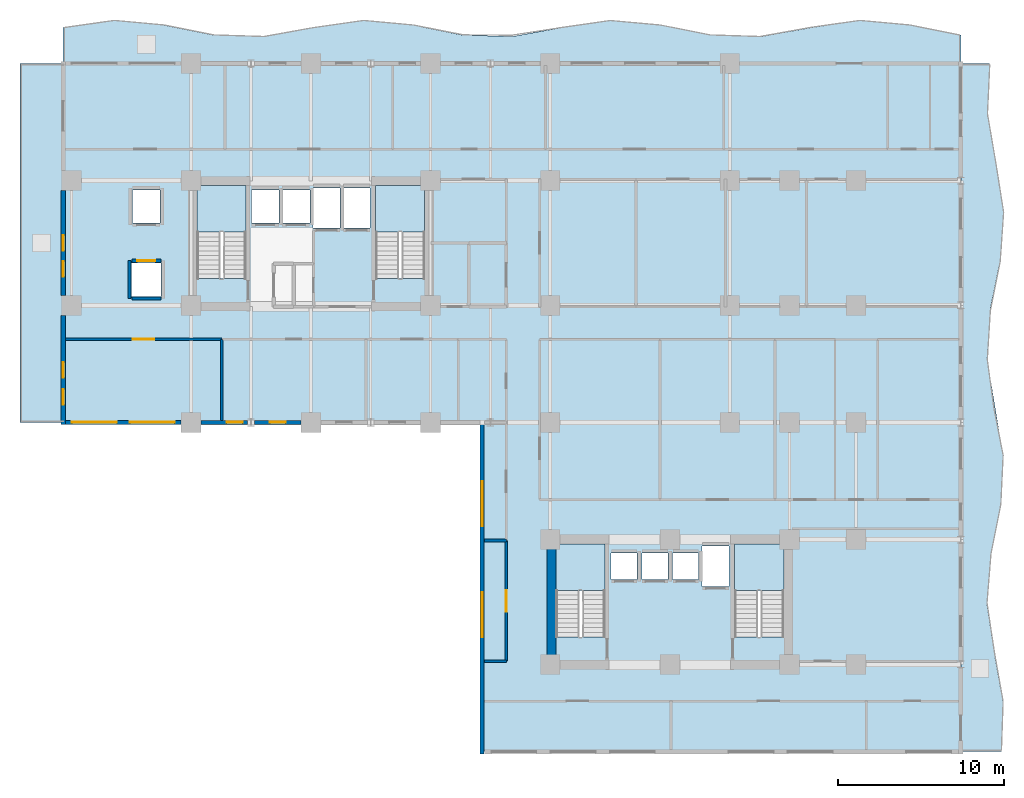
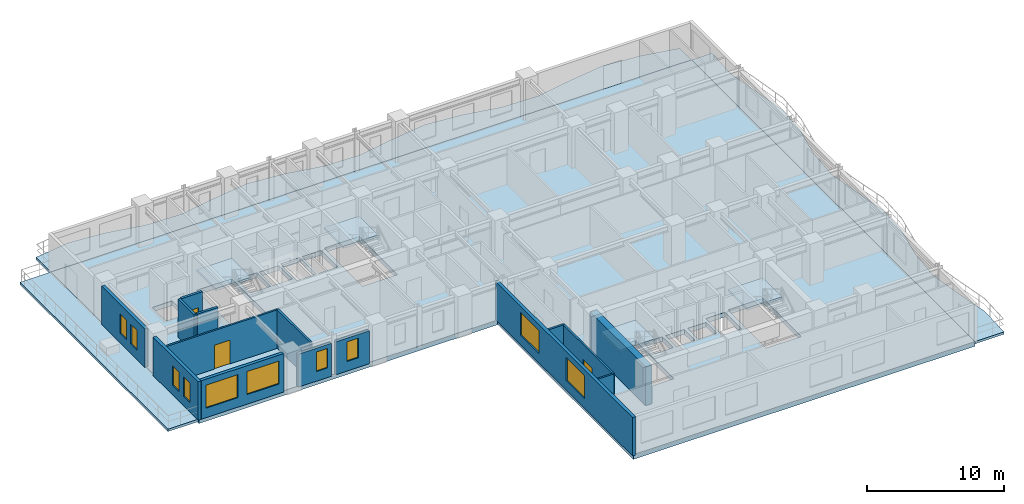
# One storey, part 2 of 11: 15 walls, 10 windows, 8 slabs, 3 doors, 13 openings, 4 elements without a shape of their own.
"""IFC4 building model written with IfcOpenShell, lengths in metres."""

from ifc_helpers import new_model, si_unit, direction, frame, frame_2d, origin, place, context, subcontext, project, spatial, polyline, rectangle, outline, extrude, material, layer, layer_set, type_object, element, fill, aggregate, save


model = new_model("IFC4")

# Units and contexts
model_context = context("Model", 3, precision=1e-05, world=origin(), true_north=direction((0.0, 1.0)))
body_context = subcontext(model_context, "Body", "Model", "MODEL_VIEW")
ifc_project = project(units=[si_unit("LENGTHUNIT", "METRE"), si_unit("AREAUNIT", "SQUARE_METRE"), si_unit("VOLUMEUNIT", "CUBIC_METRE"), si_unit("PLANEANGLEUNIT", "RADIAN"), si_unit("MASSUNIT", "GRAM", prefix="KILO")], contexts=[model_context])

# Site, building, storey
site_placement = place(None, origin())
site = spatial("IfcSite", under=ifc_project, at=site_placement, CompositionType="ELEMENT")
building_placement = place(site_placement, origin())
building = spatial("IfcBuilding", under=site, at=building_placement, Name="Kaliganga Portal Commons", CompositionType="ELEMENT")
storey_placement = place(building_placement, frame((0.0, 0.0, 78.60009765625)))
storey = spatial("IfcBuildingStorey", under=building, at=storey_placement, Name="L19", CompositionType="ELEMENT", Elevation=78.60009765625)

# Slabs
ifc_material_1 = material(Name="Concrete C40/50", Category="concrete")
ifc_layer_1 = layer(ifc_material_1, 0.2099609375)
ifc_layer_set_1 = layer_set([ifc_layer_1], Name="Concrete C40/50")
slab_type_1 = type_object("IfcSlabType", Name="SLB-BALC-210", PredefinedType="FLOOR", material=ifc_layer_set_1)
slab_1_placement = place(storey_placement, frame((0.0, 0.0, -0.210205078125)))
element("IfcSlab", 1, at=slab_1_placement, inside=storey, type_object=slab_type_1, Name="Scalloped Tree-Planter Balcony Slab L19 balc_north", PredefinedType="FLOOR", context=body_context, shape_type="SweptSolid", body=[
    extrude(outline(polyline([(60.699951171875, 43.199951171875), (60.699951171875, 44.916259765625), (57.699951171875, 45.517333984375), (54.699951171875, 45.793701171875), (51.699951171875, 45.36328125), (48.699951171875, 44.821044921875), (45.699951171875, 44.916259765625), (42.699951171875, 45.517333984375), (39.699951171875, 45.793701171875), (36.699951171875, 45.36328125), (33.699951171875, 44.821044921875), (30.699951171875, 44.916259765625), (27.699951171875, 45.517333984375), (24.699951171875, 45.793701171875), (21.699951171875, 45.36328125), (18.699951171875, 44.821044921875), (15.699951171875, 44.916259765625), (12.699951171875, 45.517333984375), (9.699951171875, 45.793701171875), (6.699951171875, 45.36328125), (6.699951171875, 43.199951171875), (60.699951171875, 43.199951171875)])), origin(), (0.0, 0.0, 1.0), 0.210205078125),
])
slab_2_placement = place(storey_placement, frame((0.0, 0.0, -0.210205078125)))
element("IfcSlab", 2, at=slab_2_placement, inside=storey, type_object=slab_type_1, Name="Scalloped Tree-Planter Balcony Slab L19 balc_east", PredefinedType="FLOOR", context=body_context, shape_type="SweptSolid", body=[
    extrude(outline(polyline([(60.699951171875, 1.800048828125), (63.1484375, 1.800048828125), (63.247802734375, 4.757080078125), (62.7197265625, 7.71435546875), (62.276123046875, 10.67138671875), (62.514892578125, 13.628662109375), (63.114013671875, 16.585693359375), (63.26611328125, 19.54296875), (62.76611328125, 22.5), (62.287841796875, 25.45703125), (62.476318359375, 28.414306640625), (63.0771484375, 31.371337890625), (63.28076171875, 34.32861328125), (62.8125, 37.28564453125), (62.3037109375, 40.242919921875), (62.43994140625, 43.199951171875), (60.699951171875, 43.199951171875), (60.699951171875, 1.800048828125)])), origin(), (0.0, 0.0, 1.0), 0.210205078125),
])

# Stair, slab
stair_type = type_object("IfcStairType", Name="ST-CORE-DOGLEG", PredefinedType="HALF_TURN_STAIR", material=ifc_material_1)
stair_1_placement = place(storey_placement, origin())
stair_1 = element("IfcStair", 3, at=stair_1_placement, inside=storey, type_object=stair_type, Name="L19 Protected Exit Stair ST-A1", PredefinedType="HALF_TURN_STAIR")
ifc_layer_2 = layer(ifc_material_1, 0.199951171875)
ifc_layer_set_2 = layer_set([ifc_layer_2], Name="Concrete C40/50")
slab_type_2 = type_object("IfcSlabType", Name="SLB-STAIR-LND", PredefinedType="LANDING", material=ifc_layer_set_2)
slab_3_placement = place(storey_placement, frame((0.0, 0.0, 1.64990234375)))
slab_3 = element("IfcSlab", 4, at=slab_3_placement, type_object=slab_type_2, Name="ST-A1 landing 1", PredefinedType="LANDING", context=body_context, shape_type="SweptSolid", body=[
    extrude(outline(polyline([(17.699951171875, 33.050048828125), (17.699951171875, 35.85009765625), (14.75, 35.85009765625), (14.75, 33.050048828125), (17.699951171875, 33.050048828125)])), origin(), (0.0, 0.0, 1.0), 0.199951171875),
])
aggregate(stair_1, [slab_3])

stair_2_placement = place(storey_placement, origin())
stair_2 = element("IfcStair", 5, at=stair_2_placement, inside=storey, type_object=stair_type, Name="L19 Protected Exit Stair ST-A2", PredefinedType="HALF_TURN_STAIR")
slab_4_placement = place(storey_placement, frame((0.0, 0.0, 1.64990234375)))
slab_4 = element("IfcSlab", 6, at=slab_4_placement, type_object=slab_type_2, Name="ST-A2 landing 1", PredefinedType="LANDING", context=body_context, shape_type="SweptSolid", body=[
    extrude(outline(polyline([(28.449951171875, 33.050048828125), (28.449951171875, 35.85009765625), (25.5, 35.85009765625), (25.5, 33.050048828125), (28.449951171875, 33.050048828125)])), origin(), (0.0, 0.0, 1.0), 0.199951171875),
])
aggregate(stair_2, [slab_4])

stair_3_placement = place(storey_placement, origin())
stair_3 = element("IfcStair", 7, at=stair_3_placement, inside=storey, type_object=stair_type, Name="L19 Protected Exit Stair ST-B1", PredefinedType="HALF_TURN_STAIR")
slab_5_placement = place(storey_placement, frame((0.0, 0.0, 1.64990234375)))
slab_5 = element("IfcSlab", 8, at=slab_5_placement, type_object=slab_type_2, Name="ST-B1 landing 1", PredefinedType="LANDING", context=body_context, shape_type="SweptSolid", body=[
    extrude(outline(polyline([(39.300048828125, 11.5), (39.300048828125, 14.300048828125), (36.35009765625, 14.300048828125), (36.35009765625, 11.5), (39.300048828125, 11.5)])), origin(), (0.0, 0.0, 1.0), 0.199951171875),
])
aggregate(stair_3, [slab_5])

stair_4_placement = place(storey_placement, origin())
stair_4 = element("IfcStair", 9, at=stair_4_placement, inside=storey, type_object=stair_type, Name="L19 Protected Exit Stair ST-B2", PredefinedType="HALF_TURN_STAIR")
slab_6_placement = place(storey_placement, frame((0.0, 0.0, 1.64990234375)))
slab_6 = element("IfcSlab", 10, at=slab_6_placement, type_object=slab_type_2, Name="ST-B2 landing 1", PredefinedType="LANDING", context=body_context, shape_type="SweptSolid", body=[
    extrude(outline(polyline([(50.050048828125, 11.5), (50.050048828125, 14.300048828125), (47.10009765625, 14.300048828125), (47.10009765625, 11.5), (50.050048828125, 11.5)])), origin(), (0.0, 0.0, 1.0), 0.199951171875),
])
aggregate(stair_4, [slab_6])

# Slabs
ifc_layer_3 = layer(ifc_material_1, 0.219970703125)
ifc_layer_set_3 = layer_set([ifc_layer_3], Name="Concrete C40/50")
slab_type_3 = type_object("IfcSlabType", Name="SLB-TERR-220", PredefinedType="FLOOR", material=ifc_layer_set_3)
slab_7_placement = place(storey_placement, frame((0.0, 0.0, -0.22021484375)))
element("IfcSlab", 11, at=slab_7_placement, inside=storey, type_object=slab_type_3, Name="Block 2 Shift-Ledge Sky-Garden Terrace", PredefinedType="FLOOR", context=body_context, shape_type="SweptSolid", body=[
    extrude(outline(polyline([(4.10009765625, 21.60009765625), (6.699951171875, 21.60009765625), (6.699951171875, 43.199951171875), (4.10009765625, 43.199951171875), (4.10009765625, 21.60009765625)])), origin(), (0.0, 0.0, 1.0), 0.22021484375),
])
ifc_material_2 = material(Name="Concrete C60/75", Category="concrete")
ifc_layer_4 = layer(ifc_material_2, 0.419921875)
ifc_layer_set_4 = layer_set([ifc_layer_4], Name="Concrete C60/75")
slab_type_4 = type_object("IfcSlabType", Name="SLB-XFER-420", PredefinedType="FLOOR", material=ifc_layer_set_4)
slab_8_placement = place(storey_placement, frame((0.0, 0.0, -0.420166015625)))
element("IfcSlab", 12, at=slab_8_placement, inside=storey, type_object=slab_type_4, Name="Structural Floor Slab L19", PredefinedType="FLOOR", context=body_context, shape_type="SweptSolid", body=[
    extrude(outline(polyline([(31.89990234375, 1.800048828125), (60.699951171875, 1.800048828125), (60.699951171875, 43.199951171875), (6.699951171875, 43.199951171875), (6.699951171875, 21.60009765625), (31.89990234375, 21.60009765625), (31.89990234375, 1.800048828125)]), holes=[polyline([(14.75, 30.25390625), (14.75, 35.85009765625), (17.699951171875, 35.85009765625), (17.699951171875, 30.25390625), (14.75, 30.25390625)]), polyline([(25.5, 30.25390625), (25.5, 35.85009765625), (28.449951171875, 35.85009765625), (28.449951171875, 30.25390625), (25.5, 30.25390625)]), polyline([(36.35009765625, 8.7041015625), (36.35009765625, 14.300048828125), (39.300048828125, 14.300048828125), (39.300048828125, 8.7041015625), (36.35009765625, 8.7041015625)]), polyline([(47.10009765625, 8.7041015625), (47.10009765625, 14.300048828125), (50.050048828125, 14.300048828125), (50.050048828125, 8.7041015625), (47.10009765625, 8.7041015625)]), polyline([(18.014892578125, 33.614990234375), (18.014892578125, 35.5849609375), (19.68505859375, 35.5849609375), (19.68505859375, 33.614990234375), (18.014892578125, 33.614990234375)]), polyline([(19.864990234375, 33.614990234375), (19.864990234375, 35.5849609375), (21.534912109375, 35.5849609375), (21.534912109375, 33.614990234375), (19.864990234375, 33.614990234375)]), polyline([(10.81494140625, 29.18994140625), (10.81494140625, 31.2099609375), (12.5849609375, 31.2099609375), (12.5849609375, 29.18994140625), (10.81494140625, 29.18994140625)]), polyline([(10.864990234375, 33.614990234375), (10.864990234375, 35.5849609375), (12.534912109375, 35.5849609375), (12.534912109375, 33.614990234375), (10.864990234375, 33.614990234375)]), polyline([(21.739990234375, 33.2900390625), (21.739990234375, 35.7099609375), (23.360107421875, 35.7099609375), (23.360107421875, 33.2900390625), (21.739990234375, 33.2900390625)]), polyline([(23.5400390625, 33.2900390625), (23.5400390625, 35.7099609375), (25.159912109375, 35.7099609375), (25.159912109375, 33.2900390625), (23.5400390625, 33.2900390625)]), polyline([(39.6650390625, 12.1650390625), (39.6650390625, 13.735107421875), (41.235107421875, 13.735107421875), (41.235107421875, 12.1650390625), (39.6650390625, 12.1650390625)]), polyline([(41.514892578125, 12.1650390625), (41.514892578125, 13.735107421875), (43.0849609375, 13.735107421875), (43.0849609375, 12.1650390625), (41.514892578125, 12.1650390625)]), polyline([(43.364990234375, 12.1650390625), (43.364990234375, 13.735107421875), (44.93505859375, 13.735107421875), (44.93505859375, 12.1650390625), (43.364990234375, 12.1650390625)]), polyline([(45.139892578125, 11.739990234375), (45.139892578125, 14.159912109375), (46.760009765625, 14.159912109375), (46.760009765625, 11.739990234375), (45.139892578125, 11.739990234375)])]), origin(), (0.0, 0.0, 1.0), 0.420166015625),
])

# Wall
ifc_layer_5 = layer(ifc_material_2, 0.550048828125)
ifc_layer_set_5 = layer_set([ifc_layer_5], Name="Concrete C60/75")
wall_type_1 = type_object("IfcWallType", Name="WL-CORE-550", PredefinedType="SHEAR", material=ifc_layer_set_5)
wall_1_placement = place(storey_placement, frame((36.074951171875, 6.75, 0.0), z_axis=(0.0, 0.0, 1.0), x_axis=(0.0, 1.0, 0.0)))
element("IfcWall", 13, at=wall_1_placement, inside=storey, type_object=wall_type_1, Name="Core B West Shear Wall L19", PredefinedType="SHEAR", context=body_context, shape_type="SweptSolid", body=[
    extrude(rectangle(XDim=8.10009765625, YDim=0.550048828125, at=frame_2d((4.050048828125, 0.0))), origin(), (0.0, 0.0, 1.0), 3.449951171875),
])

# Wall, openings, windows
ifc_material_3 = material(Name="Insulated Aluminium-Clad Spandrel Assembly", Category="aluminium")
ifc_layer_6 = layer(ifc_material_3, 0.260009765625)
ifc_layer_set_6 = layer_set([ifc_layer_6], Name="Insulated Aluminium-Clad Spandrel Assembly")
wall_type_2 = type_object("IfcWallType", Name="WL-EXT-SPAND-260", PredefinedType="STANDARD", material=ifc_layer_set_6)
wall_2_placement = place(storey_placement, frame((6.699951171875, 29.2509765625, 0.0), z_axis=(0.0, 0.0, 1.0), x_axis=(0.0, 1.0, 0.0)))
wall_2 = element("IfcWall", 14, at=wall_2_placement, inside=storey, type_object=wall_type_2, Name="Exterior Envelope Wall L19 P1-E03-S2", PredefinedType="STANDARD", context=body_context, shape_type="SweptSolid", body=[
    extrude(rectangle(XDim=6.298095703125, YDim=0.260009765625, at=frame_2d((3.14892578125, 0.0))), origin(), (0.0, 0.0, 1.0), 3.429931640625),
])
opening_1_placement = place(wall_2_placement, frame((2.674072265625, 0.0, 0.85009765625)))
opening_1 = element("IfcOpeningElement", 15, at=opening_1_placement, cuts=wall_2, Name="Opening W-04", PredefinedType="OPENING", context=body_context, shape_type="SweptSolid", body=[
    extrude(rectangle(XDim=0.949951171875, YDim=1.75, at=frame_2d((0.47509765625, 0.875))), frame((0.0, 0.14013671875, 0.0), z_axis=(0.0, -1.0, 0.0), x_axis=(1.0, 0.0, 0.0)), (0.0, 0.0, 1.0), 0.280029296875),
])
opening_2_placement = place(wall_2_placement, frame((1.112060546875, 0.0, 0.85009765625)))
opening_2 = element("IfcOpeningElement", 16, at=opening_2_placement, cuts=wall_2, Name="Opening W-04", PredefinedType="OPENING", context=body_context, shape_type="SweptSolid", body=[
    extrude(rectangle(XDim=0.949951171875, YDim=1.75, at=frame_2d((0.47509765625, 0.875))), frame((0.0, 0.14013671875, 0.0), z_axis=(0.0, -1.0, 0.0), x_axis=(1.0, 0.0, 0.0)), (0.0, 0.0, 1.0), 0.280029296875),
])
ifc_material_4 = material(Name="Thermally Broken Aluminium and Low-E Double Glazing", Category="aluminium")
window_type_1 = type_object("IfcWindowType", Name="WIN-NARROW-950", PartitioningType="SINGLE_PANEL", PredefinedType="WINDOW", material=ifc_material_4)
window_1_placement = place(opening_1_placement, origin())
window_1 = element("IfcWindow", 17, at=window_1_placement, inside=storey, type_object=window_type_1, Name="Facade Window L19-P1E03S2-N0", OverallHeight=1.75, OverallWidth=0.949951171875, PartitioningType="SINGLE_PANEL", PredefinedType="WINDOW", context=body_context, shape_type="SweptSolid", body=[
    extrude(rectangle(XDim=0.949951171875, YDim=1.75, at=frame_2d((0.47509765625, 0.875))), frame((0.0, 0.030029296875, 0.0), z_axis=(0.0, -1.0, 0.0), x_axis=(1.0, 0.0, 0.0)), (0.0, 0.0, 1.0), 0.06005859375),
])
fill(opening_1, window_1)
window_2_placement = place(opening_2_placement, origin())
window_2 = element("IfcWindow", 18, at=window_2_placement, inside=storey, type_object=window_type_1, Name="Facade Window L19-P1E03S2-N1", OverallHeight=1.75, OverallWidth=0.949951171875, PartitioningType="SINGLE_PANEL", PredefinedType="WINDOW", context=body_context, shape_type="SweptSolid", body=[
    extrude(rectangle(XDim=0.949951171875, YDim=1.75, at=frame_2d((0.47509765625, 0.875))), frame((0.0, 0.030029296875, 0.0), z_axis=(0.0, -1.0, 0.0), x_axis=(1.0, 0.0, 0.0)), (0.0, 0.0, 1.0), 0.06005859375),
])
fill(opening_2, window_2)

wall_3_placement = place(storey_placement, frame((6.699951171875, 21.469970703125, 0.0), z_axis=(0.0, 0.0, 1.0), x_axis=(0.0, 1.0, 0.0)))
wall_3 = element("IfcWall", 19, at=wall_3_placement, inside=storey, type_object=wall_type_2, Name="Exterior Envelope Wall L19 P1-E03-S3", PredefinedType="STANDARD", context=body_context, shape_type="SweptSolid", body=[
    extrude(rectangle(XDim=6.5791015625, YDim=0.260009765625, at=frame_2d((3.28955078125, 0.0))), origin(), (0.0, 0.0, 1.0), 3.429931640625),
])
opening_3_placement = place(wall_3_placement, frame((2.814453125, 0.0, 0.85009765625)))
opening_3 = element("IfcOpeningElement", 20, at=opening_3_placement, cuts=wall_3, Name="Opening W-04", PredefinedType="OPENING", context=body_context, shape_type="SweptSolid", body=[
    extrude(rectangle(XDim=0.949951171875, YDim=1.75, at=frame_2d((0.47509765625, 0.875))), frame((0.0, 0.14013671875, 0.0), z_axis=(0.0, -1.0, 0.0), x_axis=(1.0, 0.0, 0.0)), (0.0, 0.0, 1.0), 0.280029296875),
])
opening_4_placement = place(wall_3_placement, frame((1.182861328125, 0.0, 0.85009765625)))
opening_4 = element("IfcOpeningElement", 21, at=opening_4_placement, cuts=wall_3, Name="Opening W-04", PredefinedType="OPENING", context=body_context, shape_type="SweptSolid", body=[
    extrude(rectangle(XDim=0.949951171875, YDim=1.75, at=frame_2d((0.47509765625, 0.875))), frame((0.0, 0.14013671875, 0.0), z_axis=(0.0, -1.0, 0.0), x_axis=(1.0, 0.0, 0.0)), (0.0, 0.0, 1.0), 0.280029296875),
])
window_3_placement = place(opening_3_placement, origin())
window_3 = element("IfcWindow", 22, at=window_3_placement, inside=storey, type_object=window_type_1, Name="Facade Window L19-P1E03S3-N0", OverallHeight=1.75, OverallWidth=0.949951171875, PartitioningType="SINGLE_PANEL", PredefinedType="WINDOW", context=body_context, shape_type="SweptSolid", body=[
    extrude(rectangle(XDim=0.949951171875, YDim=1.75, at=frame_2d((0.47509765625, 0.875))), frame((0.0, 0.030029296875, 0.0), z_axis=(0.0, -1.0, 0.0), x_axis=(1.0, 0.0, 0.0)), (0.0, 0.0, 1.0), 0.06005859375),
])
fill(opening_3, window_3)
window_4_placement = place(opening_4_placement, origin())
window_4 = element("IfcWindow", 23, at=window_4_placement, inside=storey, type_object=window_type_1, Name="Facade Window L19-P1E03S3-N1", OverallHeight=1.75, OverallWidth=0.949951171875, PartitioningType="SINGLE_PANEL", PredefinedType="WINDOW", context=body_context, shape_type="SweptSolid", body=[
    extrude(rectangle(XDim=0.949951171875, YDim=1.75, at=frame_2d((0.47509765625, 0.875))), frame((0.0, 0.030029296875, 0.0), z_axis=(0.0, -1.0, 0.0), x_axis=(1.0, 0.0, 0.0)), (0.0, 0.0, 1.0), 0.06005859375),
])
fill(opening_4, window_4)

wall_4_placement = place(storey_placement, frame((13.799072265625, 21.60009765625, 0.0), z_axis=(0.0, 0.0, 1.0), x_axis=(-1.0, 0.0, 0.0)))
wall_4 = element("IfcWall", 24, at=wall_4_placement, inside=storey, type_object=wall_type_2, Name="Exterior Envelope Wall L19 P1-E04-S1", PredefinedType="STANDARD", context=body_context, shape_type="SweptSolid", body=[
    extrude(rectangle(XDim=6.964111328125, YDim=0.260009765625, at=frame_2d((3.48193359375, 0.0))), origin(), (0.0, 0.0, 1.0), 3.429931640625),
])
opening_5_placement = place(wall_4_placement, frame((0.39111328125, 0.0, 0.85009765625)))
opening_5 = element("IfcOpeningElement", 25, at=opening_5_placement, cuts=wall_4, Name="Opening W-07", PredefinedType="OPENING", context=body_context, shape_type="SweptSolid", body=[
    extrude(rectangle(XDim=2.699951171875, YDim=2.050048828125, at=frame_2d((1.35009765625, 1.02490234375))), frame((0.0, 0.14013671875, 0.0), z_axis=(0.0, -1.0, 0.0), x_axis=(1.0, 0.0, 0.0)), (0.0, 0.0, 1.0), 0.280029296875),
])
opening_6_placement = place(wall_4_placement, frame((3.873046875, 0.0, 0.85009765625)))
opening_6 = element("IfcOpeningElement", 26, at=opening_6_placement, cuts=wall_4, Name="Opening W-07", PredefinedType="OPENING", context=body_context, shape_type="SweptSolid", body=[
    extrude(rectangle(XDim=2.699951171875, YDim=2.050048828125, at=frame_2d((1.35009765625, 1.02490234375))), frame((0.0, 0.14013671875, 0.0), z_axis=(0.0, -1.0, 0.0), x_axis=(1.0, 0.0, 0.0)), (0.0, 0.0, 1.0), 0.280029296875),
])
window_type_2 = type_object("IfcWindowType", Name="WIN-LOUNGE-2700", PartitioningType="TRIPLE_PANEL_VERTICAL", PredefinedType="WINDOW", material=ifc_material_4)
window_5_placement = place(opening_5_placement, origin())
window_5 = element("IfcWindow", 27, at=window_5_placement, inside=storey, type_object=window_type_2, Name="Facade Window L19-P1E04S1-00", OverallHeight=2.050048828125, OverallWidth=2.699951171875, PartitioningType="SINGLE_PANEL", PredefinedType="WINDOW", context=body_context, shape_type="SweptSolid", body=[
    extrude(rectangle(XDim=2.699951171875, YDim=2.050048828125, at=frame_2d((1.35009765625, 1.02490234375))), frame((0.0, 0.030029296875, 0.0), z_axis=(0.0, -1.0, 0.0), x_axis=(1.0, 0.0, 0.0)), (0.0, 0.0, 1.0), 0.06005859375),
])
fill(opening_5, window_5)
window_6_placement = place(opening_6_placement, origin())
window_6 = element("IfcWindow", 28, at=window_6_placement, inside=storey, type_object=window_type_2, Name="Facade Window L19-P1E04S1-01", OverallHeight=2.050048828125, OverallWidth=2.699951171875, PartitioningType="SINGLE_PANEL", PredefinedType="WINDOW", context=body_context, shape_type="SweptSolid", body=[
    extrude(rectangle(XDim=2.699951171875, YDim=2.050048828125, at=frame_2d((1.35009765625, 1.02490234375))), frame((0.0, 0.030029296875, 0.0), z_axis=(0.0, -1.0, 0.0), x_axis=(1.0, 0.0, 0.0)), (0.0, 0.0, 1.0), 0.06005859375),
])
fill(opening_6, window_6)

# Wall, opening, window
wall_5_placement = place(storey_placement, frame((17.79443359375, 21.60009765625, 0.0), z_axis=(0.0, 0.0, 1.0), x_axis=(-1.0, 0.0, 0.0)))
wall_5 = element("IfcWall", 29, at=wall_5_placement, inside=storey, type_object=wall_type_2, Name="Exterior Envelope Wall L19 P1-E04-S2", PredefinedType="STANDARD", context=body_context, shape_type="SweptSolid", body=[
    extrude(rectangle(XDim=2.79345703125, YDim=0.260009765625, at=frame_2d((1.396728515625, 0.0))), origin(), (0.0, 0.0, 1.0), 2.929931640625),
])
opening_7_placement = place(wall_5_placement, frame((0.30712890625, 0.0, 0.85009765625)))
opening_7 = element("IfcOpeningElement", 30, at=opening_7_placement, cuts=wall_5, Name="Opening W-04", PredefinedType="OPENING", context=body_context, shape_type="SweptSolid", body=[
    extrude(rectangle(XDim=0.949951171875, YDim=1.75, at=frame_2d((0.47509765625, 0.875))), frame((0.0, 0.14013671875, 0.0), z_axis=(0.0, -1.0, 0.0), x_axis=(1.0, 0.0, 0.0)), (0.0, 0.0, 1.0), 0.280029296875),
])
window_7_placement = place(opening_7_placement, origin())
window_7 = element("IfcWindow", 31, at=window_7_placement, inside=storey, type_object=window_type_1, Name="Facade Window L19-P1E04S2-N3", OverallHeight=1.75, OverallWidth=0.949951171875, PartitioningType="SINGLE_PANEL", PredefinedType="WINDOW", context=body_context, shape_type="SweptSolid", body=[
    extrude(rectangle(XDim=0.949951171875, YDim=1.75, at=frame_2d((0.47509765625, 0.875))), frame((0.0, 0.030029296875, 0.0), z_axis=(0.0, -1.0, 0.0), x_axis=(1.0, 0.0, 0.0)), (0.0, 0.0, 1.0), 0.06005859375),
])
fill(opening_7, window_7)

wall_6_placement = place(storey_placement, frame((20.9990234375, 21.60009765625, 0.0), z_axis=(0.0, 0.0, 1.0), x_axis=(-1.0, 0.0, 0.0)))
wall_6 = element("IfcWall", 32, at=wall_6_placement, inside=storey, type_object=wall_type_2, Name="Exterior Envelope Wall L19 P1-E04-S3", PredefinedType="STANDARD", context=body_context, shape_type="SweptSolid", body=[
    extrude(rectangle(XDim=2.79345703125, YDim=0.260009765625, at=frame_2d((1.396728515625, 0.0))), origin(), (0.0, 0.0, 1.0), 2.929931640625),
])
opening_8_placement = place(wall_6_placement, frame((0.921630859375, 0.0, 0.85009765625)))
opening_8 = element("IfcOpeningElement", 33, at=opening_8_placement, cuts=wall_6, Name="Opening W-04", PredefinedType="OPENING", context=body_context, shape_type="SweptSolid", body=[
    extrude(rectangle(XDim=0.949951171875, YDim=1.75, at=frame_2d((0.47509765625, 0.875))), frame((0.0, 0.14013671875, 0.0), z_axis=(0.0, -1.0, 0.0), x_axis=(1.0, 0.0, 0.0)), (0.0, 0.0, 1.0), 0.280029296875),
])
window_8_placement = place(opening_8_placement, origin())
window_8 = element("IfcWindow", 34, at=window_8_placement, inside=storey, type_object=window_type_1, Name="Facade Window L19-P1E04S3-00", OverallHeight=1.75, OverallWidth=0.949951171875, PartitioningType="SINGLE_PANEL", PredefinedType="WINDOW", context=body_context, shape_type="SweptSolid", body=[
    extrude(rectangle(XDim=0.949951171875, YDim=1.75, at=frame_2d((0.47509765625, 0.875))), frame((0.0, 0.030029296875, 0.0), z_axis=(0.0, -1.0, 0.0), x_axis=(1.0, 0.0, 0.0)), (0.0, 0.0, 1.0), 0.06005859375),
])
fill(opening_8, window_8)

# Wall, openings, windows
wall_7_placement = place(storey_placement, frame((31.89990234375, 1.669921875, 0.0), z_axis=(0.0, 0.0, 1.0), x_axis=(0.0, 1.0, 0.0)))
wall_7 = element("IfcWall", 35, at=wall_7_placement, inside=storey, type_object=wall_type_2, Name="Exterior Envelope Wall L19 P1-E05-S1", PredefinedType="STANDARD", context=body_context, shape_type="SweptSolid", body=[
    extrude(rectangle(XDim=20.06005859375, YDim=0.260009765625, at=frame_2d((10.030029296875, 0.0))), origin(), (0.0, 0.0, 1.0), 3.429931640625),
])
opening_9_placement = place(wall_7_placement, frame((7.00830078125, 0.0, 0.85009765625)))
opening_9 = element("IfcOpeningElement", 36, at=opening_9_placement, cuts=wall_7, Name="Opening W-07", PredefinedType="OPENING", context=body_context, shape_type="SweptSolid", body=[
    extrude(rectangle(XDim=2.699951171875, YDim=2.050048828125, at=frame_2d((1.35009765625, 1.02490234375))), frame((0.0, 0.14013671875, 0.0), z_axis=(0.0, -1.0, 0.0), x_axis=(1.0, 0.0, 0.0)), (0.0, 0.0, 1.0), 0.280029296875),
])
opening_10_placement = place(wall_7_placement, frame((13.695068359375, 0.0, 0.85009765625)))
opening_10 = element("IfcOpeningElement", 37, at=opening_10_placement, cuts=wall_7, Name="Opening W-07", PredefinedType="OPENING", context=body_context, shape_type="SweptSolid", body=[
    extrude(rectangle(XDim=2.699951171875, YDim=2.050048828125, at=frame_2d((1.35009765625, 1.02490234375))), frame((0.0, 0.14013671875, 0.0), z_axis=(0.0, -1.0, 0.0), x_axis=(1.0, 0.0, 0.0)), (0.0, 0.0, 1.0), 0.280029296875),
])
window_9_placement = place(opening_9_placement, origin())
window_9 = element("IfcWindow", 38, at=window_9_placement, inside=storey, type_object=window_type_2, Name="Facade Window L19-P1E05S1-02", OverallHeight=2.050048828125, OverallWidth=2.699951171875, PartitioningType="SINGLE_PANEL", PredefinedType="WINDOW", context=body_context, shape_type="SweptSolid", body=[
    extrude(rectangle(XDim=2.699951171875, YDim=2.050048828125, at=frame_2d((1.35009765625, 1.02490234375))), frame((0.0, 0.030029296875, 0.0), z_axis=(0.0, -1.0, 0.0), x_axis=(1.0, 0.0, 0.0)), (0.0, 0.0, 1.0), 0.06005859375),
])
fill(opening_9, window_9)
window_10_placement = place(opening_10_placement, origin())
window_10 = element("IfcWindow", 39, at=window_10_placement, inside=storey, type_object=window_type_2, Name="Facade Window L19-P1E05S1-04", OverallHeight=2.050048828125, OverallWidth=2.699951171875, PartitioningType="SINGLE_PANEL", PredefinedType="WINDOW", context=body_context, shape_type="SweptSolid", body=[
    extrude(rectangle(XDim=2.699951171875, YDim=2.050048828125, at=frame_2d((1.35009765625, 1.02490234375))), frame((0.0, 0.030029296875, 0.0), z_axis=(0.0, -1.0, 0.0), x_axis=(1.0, 0.0, 0.0)), (0.0, 0.0, 1.0), 0.06005859375),
])
fill(opening_10, window_10)

# Wall, opening, door
ifc_material_5 = material(Name="Fire-Rated Gypsum Board on Steel Stud", Category="steel")
ifc_layer_7 = layer(ifc_material_5, 0.14990234375)
ifc_layer_set_7 = layer_set([ifc_layer_7], Name="Fire-Rated Gypsum Board on Steel Stud")
wall_type_3 = type_object("IfcWallType", Name="WL-PART-CORR-150", PredefinedType="PARTITIONING", material=ifc_layer_set_7)
wall_8_placement = place(storey_placement, frame((6.83203125, 26.60009765625, 0.0), z_axis=(0.0, 0.0, 1.0), x_axis=(1.0, 0.0, 0.0)))
wall_8 = element("IfcWall", 40, at=wall_8_placement, inside=storey, type_object=wall_type_3, Name="Interior Partition L19-011", PredefinedType="PARTITIONING", context=body_context, shape_type="SweptSolid", body=[
    extrude(rectangle(XDim=9.407958984375, YDim=0.14990234375, at=frame_2d((4.7041015625, 0.0))), origin(), (0.0, 0.0, 1.0), 3.429931640625),
])
opening_11_placement = place(wall_8_placement, frame((4.053955078125, 0.0, 0.0)))
opening_11 = element("IfcOpeningElement", 41, at=opening_11_placement, cuts=wall_8, Name="Opening RD-03", PredefinedType="OPENING", context=body_context, shape_type="SweptSolid", body=[
    extrude(rectangle(XDim=1.300048828125, YDim=2.1201171875, at=frame_2d((0.64990234375, 1.06005859375))), frame((0.0, 0.0849609375, 0.0), z_axis=(0.0, -1.0, 0.0), x_axis=(1.0, 0.0, 0.0)), (0.0, 0.0, 1.0), 0.169921875),
])
ifc_material_6 = material(Name="Glazed Timber Seminar Vision Door", Category="wood")
door_type_1 = type_object("IfcDoorType", Name="DR-STUDY-1300", OperationType="DOUBLE_DOOR_SINGLE_SWING", PredefinedType="DOOR", material=ifc_material_6)
door_1_placement = place(opening_11_placement, origin())
door_1 = element("IfcDoor", 42, at=door_1_placement, inside=storey, type_object=door_type_1, Name="Interior Door L19-AS01", OperationType="DOUBLE_DOOR_SINGLE_SWING", OverallHeight=2.1201171875, OverallWidth=1.300048828125, PredefinedType="DOOR", context=body_context, shape_type="SweptSolid", body=[
    extrude(rectangle(XDim=1.300048828125, YDim=2.1201171875, at=frame_2d((0.64990234375, 1.06005859375))), frame((0.0, 0.02490234375, 0.0), z_axis=(0.0, -1.0, 0.0), x_axis=(1.0, 0.0, 0.0)), (0.0, 0.0, 1.0), 0.050048828125),
])
fill(opening_11, door_1)

wall_9_placement = place(storey_placement, frame((33.360107421875, 7.239990234375, 0.0), z_axis=(0.0, 0.0, 1.0), x_axis=(0.0, 1.0, 0.0)))
wall_9 = element("IfcWall", 43, at=wall_9_placement, inside=storey, type_object=wall_type_3, Name="Interior Partition L19-017", PredefinedType="PARTITIONING", context=body_context, shape_type="SweptSolid", body=[
    extrude(rectangle(XDim=7.260009765625, YDim=0.14990234375, at=frame_2d((3.6298828125, 0.0))), origin(), (0.0, 0.0, 1.0), 3.429931640625),
])
opening_12_placement = place(wall_9_placement, frame((2.97998046875, 0.0, 0.0)))
opening_12 = element("IfcOpeningElement", 44, at=opening_12_placement, cuts=wall_9, Name="Opening RD-03", PredefinedType="OPENING", context=body_context, shape_type="SweptSolid", body=[
    extrude(rectangle(XDim=1.300048828125, YDim=2.1201171875, at=frame_2d((0.64990234375, 1.06005859375))), frame((0.0, 0.0849609375, 0.0), z_axis=(0.0, -1.0, 0.0), x_axis=(1.0, 0.0, 0.0)), (0.0, 0.0, 1.0), 0.169921875),
])
door_2_placement = place(opening_12_placement, origin())
door_2 = element("IfcDoor", 45, at=door_2_placement, inside=storey, type_object=door_type_1, Name="Interior Door L19-KW01", OperationType="DOUBLE_DOOR_SINGLE_SWING", OverallHeight=2.1201171875, OverallWidth=1.300048828125, PredefinedType="DOOR", context=body_context, shape_type="SweptSolid", body=[
    extrude(rectangle(XDim=1.300048828125, YDim=2.1201171875, at=frame_2d((0.64990234375, 1.06005859375))), frame((0.0, 0.02490234375, 0.0), z_axis=(0.0, -1.0, 0.0), x_axis=(1.0, 0.0, 0.0)), (0.0, 0.0, 1.0), 0.050048828125),
])
fill(opening_12, door_2)

# Walls
wall_10_placement = place(storey_placement, frame((32.031982421875, 7.239990234375, 0.0), z_axis=(0.0, 0.0, 1.0), x_axis=(1.0, 0.0, 0.0)))
element("IfcWall", 46, at=wall_10_placement, inside=storey, type_object=wall_type_3, Name="Interior Partition L19-041", PredefinedType="PARTITIONING", context=body_context, shape_type="SweptSolid", body=[
    extrude(rectangle(XDim=1.328125, YDim=0.14990234375, at=frame_2d((0.6640625, 0.0))), origin(), (0.0, 0.0, 1.0), 3.429931640625),
])
ifc_material_7 = material(Name="Twin-Stud Acoustic Gypsum Partition", Category="gypsum")
ifc_layer_8 = layer(ifc_material_7, 0.1650390625)
ifc_layer_set_8 = layer_set([ifc_layer_8], Name="Twin-Stud Acoustic Gypsum Partition")
wall_type_4 = type_object("IfcWallType", Name="WL-PART-UNIT-165", PredefinedType="PARTITIONING", material=ifc_layer_set_8)
wall_11_placement = place(storey_placement, frame((16.239990234375, 21.73193359375, 0.0), z_axis=(0.0, 0.0, 1.0), x_axis=(0.0, 1.0, 0.0)))
element("IfcWall", 47, at=wall_11_placement, inside=storey, type_object=wall_type_4, Name="Interior Partition L19-066", PredefinedType="PARTITIONING", context=body_context, shape_type="SweptSolid", body=[
    extrude(rectangle(XDim=4.8681640625, YDim=0.1650390625, at=frame_2d((2.43408203125, 0.0))), origin(), (0.0, 0.0, 1.0), 3.429931640625),
])
wall_12_placement = place(storey_placement, frame((32.031982421875, 14.5, 0.0), z_axis=(0.0, 0.0, 1.0), x_axis=(1.0, 0.0, 0.0)))
element("IfcWall", 48, at=wall_12_placement, inside=storey, type_object=wall_type_4, Name="Interior Partition L19-081", PredefinedType="PARTITIONING", context=body_context, shape_type="SweptSolid", body=[
    extrude(rectangle(XDim=1.328125, YDim=0.1650390625, at=frame_2d((0.6640625, 0.0))), origin(), (0.0, 0.0, 1.0), 3.429931640625),
])
ifc_material_8 = material(Name="Fire-Rated Shaftwall Masonry Assembly", Category="masonry")
ifc_layer_9 = layer(ifc_material_8, 0.199951171875)
ifc_layer_set_9 = layer_set([ifc_layer_9], Name="Fire-Rated Shaftwall Masonry Assembly")
wall_type_5 = type_object("IfcWallType", Name="WL-SHAFT-200", PredefinedType="PARTITIONING", material=ifc_layer_set_9)
wall_13_placement = place(storey_placement, frame((10.824951171875, 29.06005859375, 0.0), z_axis=(0.0, 0.0, 1.0), x_axis=(1.0, 0.0, 0.0)))
element("IfcWall", 49, at=wall_13_placement, inside=storey, type_object=wall_type_5, Name="Lift SH-1 Hoistway Shaft Wall L19-S", PredefinedType="PARTITIONING", context=body_context, shape_type="SweptSolid", body=[
    extrude(rectangle(XDim=1.75, YDim=0.199951171875, at=frame_2d((0.875, 0.0))), origin(), (0.0, 0.0, 1.0), 3.429931640625),
])

# Wall, opening, door
wall_14_placement = place(storey_placement, frame((10.824951171875, 31.340087890625, 0.0), z_axis=(0.0, 0.0, 1.0), x_axis=(1.0, 0.0, 0.0)))
wall_14 = element("IfcWall", 50, at=wall_14_placement, inside=storey, type_object=wall_type_5, Name="Lift SH-1 Hoistway Shaft Wall L19-N", PredefinedType="PARTITIONING", context=body_context, shape_type="SweptSolid", body=[
    extrude(rectangle(XDim=1.75, YDim=0.199951171875, at=frame_2d((0.875, 0.0))), origin(), (0.0, 0.0, 1.0), 3.429931640625),
])
opening_13_placement = place(wall_14_placement, frame((0.324951171875, 0.0, 0.0)))
opening_13 = element("IfcOpeningElement", 51, at=opening_13_placement, cuts=wall_14, Name="Opening LD-01", PredefinedType="OPENING", context=body_context, shape_type="SweptSolid", body=[
    extrude(rectangle(XDim=1.10009765625, YDim=2.1201171875, at=frame_2d((0.550048828125, 1.06005859375))), frame((0.0, 0.10986328125, 0.0), z_axis=(0.0, -1.0, 0.0), x_axis=(1.0, 0.0, 0.0)), (0.0, 0.0, 1.0), 0.219970703125),
])
ifc_material_9 = material(Name="Brushed Stainless Steel 316 Lift Landing Door", Category="steel")
door_type_2 = type_object("IfcDoorType", Name="DR-LIFT-1100", OperationType="SLIDING_TO_LEFT", PredefinedType="DOOR", material=ifc_material_9)
door_3_placement = place(opening_13_placement, origin())
door_3 = element("IfcDoor", 52, at=door_3_placement, inside=storey, type_object=door_type_2, Name="Lift SH-1 Sliding Landing Door L19", OperationType="SLIDING_TO_LEFT", OverallHeight=2.1201171875, OverallWidth=1.10009765625, PredefinedType="DOOR", context=body_context, shape_type="SweptSolid", body=[
    extrude(rectangle(XDim=1.10009765625, YDim=2.1201171875, at=frame_2d((0.550048828125, 1.06005859375))), frame((0.0, 0.02490234375, 0.0), z_axis=(0.0, -1.0, 0.0), x_axis=(1.0, 0.0, 0.0)), (0.0, 0.0, 1.0), 0.050048828125),
])
fill(opening_13, door_3)

# Wall
wall_15_placement = place(storey_placement, frame((10.68505859375, 29.06005859375, 0.0), z_axis=(0.0, 0.0, 1.0), x_axis=(0.0, 1.0, 0.0)))
element("IfcWall", 53, at=wall_15_placement, inside=storey, type_object=wall_type_5, Name="Lift SH-1 Hoistway Shaft Wall L19-W", PredefinedType="PARTITIONING", context=body_context, shape_type="SweptSolid", body=[
    extrude(rectangle(XDim=2.280029296875, YDim=0.199951171875, at=frame_2d((1.14013671875, 0.0))), origin(), (0.0, 0.0, 1.0), 3.429931640625),
])

save(model, "model.ifc")
